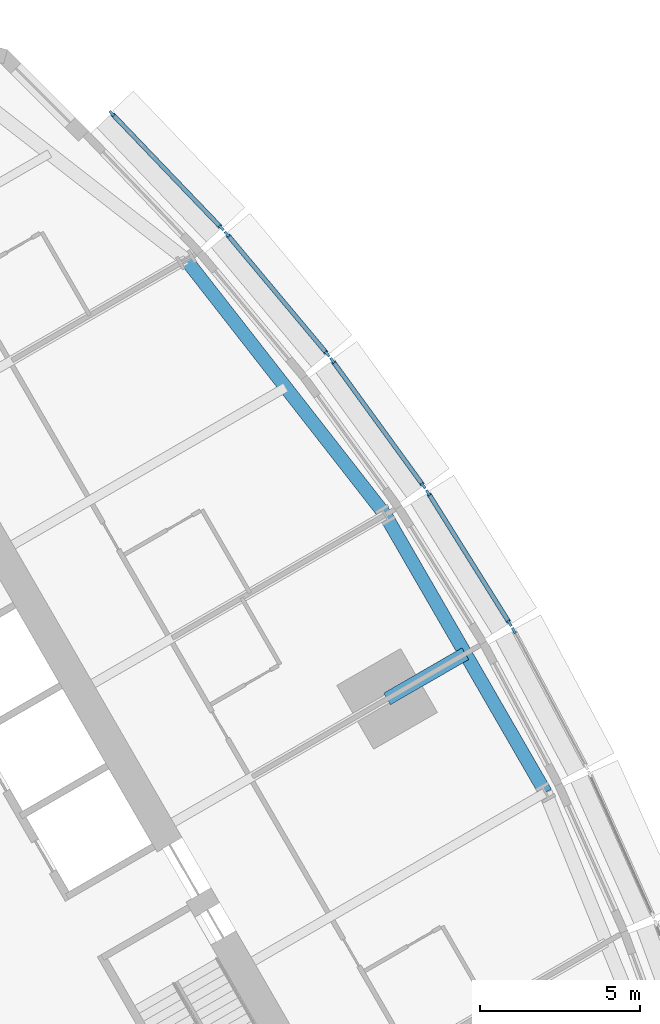
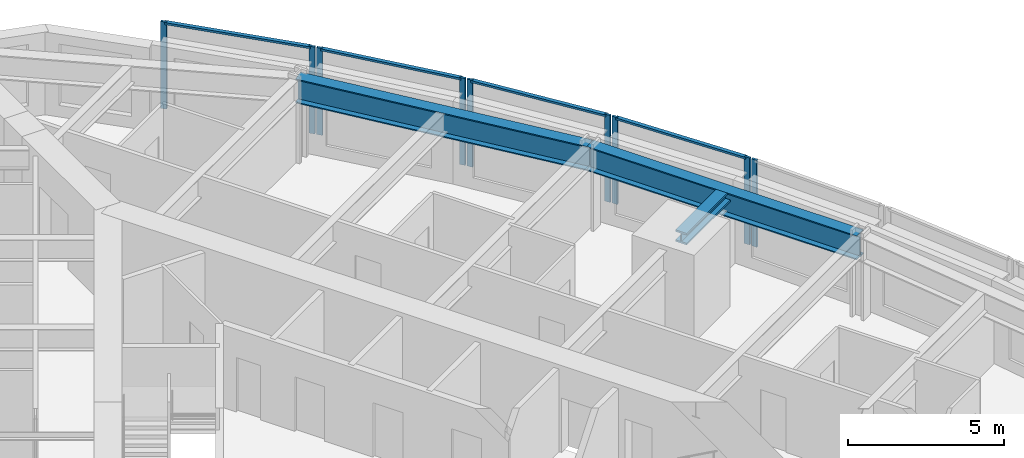
# One storey, part 5 of 14: 13 members, 3 beams, 5 elements without a shape of their own.
"""IFC4 building model written with IfcOpenShell, lengths in metres."""

import ifcopenshell
import ifcopenshell.guid

model = None  # the IFC model being written
_history = None  # IfcOwnerHistory: only IFC2X3 demands one
_inside = {}  # id of a spatial element -> (the spatial element, [elements in it])
_under = {}  # id of a project, library or spatial element -> (it, [spatial elements below it])
_declared = {}  # id of a project -> (the project, [libraries it declares])
_typed = {}  # id of a type object -> (the type object, [elements of that type])
_made_of = {}  # id of a material, layer set ... -> (it, [elements and type objects made of it])


def new_model(schema):
    """Start an empty IFC model of exactly this schema.

    Asked for "IFC4X3", IfcOpenShell would pick the latest addendum, in which some entities
    have other attributes; the version numbers below select the first issue.
    IFC2X3 requires an IfcOwnerHistory on every rooted entity: one is made here for all.
    """
    global model, _history
    if schema == "IFC4X3":
        model = ifcopenshell.file(schema_version=(4, 3, 0, 0))
    else:
        model = ifcopenshell.file(schema=schema)
    _inside.clear()
    _under.clear()
    _declared.clear()
    _typed.clear()
    _made_of.clear()
    _history = None
    if model.schema == "IFC2X3":
        org = make("IfcOrganization", Name="unknown")
        user = make(
            "IfcPersonAndOrganization",
            ThePerson=make("IfcPerson", FamilyName="unknown"),
            TheOrganization=org,
        )
        app = make(
            "IfcApplication",
            ApplicationDeveloper=org,
            Version="unknown",
            ApplicationFullName="unknown",
            ApplicationIdentifier="unknown",
        )
        _history = make(
            "IfcOwnerHistory",
            OwningUser=user,
            OwningApplication=app,
            ChangeAction="ADDED",
            CreationDate=0,
        )
    return model


def make(cls, **values):
    """One entity of the class cls with the attributes given. An attribute that is None is left unset."""
    return model.create_entity(
        cls, **{name: value for name, value in values.items() if value is not None}
    )


def rooted(cls, **values):
    """An entity with a GlobalId (a new one), such as an element, a storey or a relation."""
    return make(cls, GlobalId=ifcopenshell.guid.new(), OwnerHistory=_history, **values)


def si_unit(unit_type, name, prefix=None):
    """IfcSIUnit, for example si_unit("LENGTHUNIT", "METRE", prefix="MILLI")."""
    return make("IfcSIUnit", UnitType=unit_type, Prefix=prefix, Name=name)


def assignment(units):
    """IfcUnitAssignment: the units of a project."""
    return None if units is None else make("IfcUnitAssignment", Units=units)


def point(xyz):
    """IfcCartesianPoint."""
    return None if xyz is None else make("IfcCartesianPoint", Coordinates=xyz)


def direction(xyz):
    """IfcDirection."""
    return None if xyz is None else make("IfcDirection", DirectionRatios=xyz)


def frame(location, z_axis=None, x_axis=None):
    """IfcAxis2Placement3D, a coordinate frame: its origin and axes. An axis left out is left unset."""
    return make(
        "IfcAxis2Placement3D",
        Location=point(location),
        Axis=direction(z_axis),
        RefDirection=direction(x_axis),
    )


def frame_2d(location, x_axis=None):
    """IfcAxis2Placement2D, a coordinate frame in the plane: its origin and x axis."""
    return make(
        "IfcAxis2Placement2D", Location=point(location), RefDirection=direction(x_axis)
    )


def origin():
    """The frame at (0, 0, 0) with its axes left unset."""
    return frame((0.0, 0.0, 0.0))


def origin_2d():
    """The frame at (0, 0) in the plane with its x axis left unset."""
    return frame_2d((0.0, 0.0))


def place(relative_to, where):
    """IfcLocalPlacement: puts the frame where relative to a parent placement (None: the world)."""
    return make(
        "IfcLocalPlacement", PlacementRelTo=relative_to, RelativePlacement=where
    )


def context(
    kind, dimensions, precision=None, world=None, true_north=None, identifier=None
):
    """IfcGeometricRepresentationContext, for example the 3D "Model" context."""
    return make(
        "IfcGeometricRepresentationContext",
        ContextIdentifier=identifier,
        ContextType=kind,
        CoordinateSpaceDimension=dimensions,
        Precision=precision,
        WorldCoordinateSystem=world,
        TrueNorth=true_north,
    )


def subcontext(parent, identifier, kind, view, scale=None):
    """IfcGeometricRepresentationSubContext, for example "Body" below "Model"."""
    return make(
        "IfcGeometricRepresentationSubContext",
        ContextIdentifier=identifier,
        ContextType=kind,
        ParentContext=parent,
        TargetScale=scale,
        TargetView=view,
    )


def project(units=None, contexts=None):
    """IfcProject with its units and contexts."""
    return rooted(
        "IfcProject",
        Name="project",
        RepresentationContexts=contexts,
        UnitsInContext=assignment(units),
    )


def spatial(cls, under=None, at=None, **own):
    """A site, building, storey or space (cls), placed at a placement, below another one or the project."""
    s = rooted(cls, ObjectPlacement=at, **own)
    if under is not None:
        _under.setdefault(under.id(), (under, []))[1].append(s)
    return s


def profile(cls, at=None, kind="AREA", **sizes):
    """A parametric profile (cls). Its sizes go by their IFC names, for example OverallWidth=200.0."""
    return make(cls, ProfileType=kind, Position=at, **sizes)


def rectangle(**sizes):
    """IfcRectangleProfileDef."""
    return profile("IfcRectangleProfileDef", **sizes)


def i_section(**sizes):
    """IfcIShapeProfileDef."""
    return profile("IfcIShapeProfileDef", **sizes)


def extrude(swept, where, along, depth):
    """IfcExtrudedAreaSolid: the profile swept, set in the frame where, extruded along a direction by depth."""
    return make(
        "IfcExtrudedAreaSolid",
        SweptArea=swept,
        Position=where,
        ExtrudedDirection=direction(along),
        Depth=depth,
    )


def shape(context_of_items, identifier, shape_type, items):
    """IfcShapeRepresentation: the items that make up one representation, for example the "Body"."""
    return make(
        "IfcShapeRepresentation",
        ContextOfItems=context_of_items,
        RepresentationIdentifier=identifier,
        RepresentationType=shape_type,
        Items=items,
    )


def material(Name=None, Category=None):
    """IfcMaterial."""
    return make("IfcMaterial", Name=Name, Category=Category)


def material_profile(
    of_material, cross_section, Name=None, Category=None, Priority=None
):
    """IfcMaterialProfile: a cross section and its material."""
    return make(
        "IfcMaterialProfile",
        Name=Name,
        Material=of_material,
        Profile=cross_section,
        Priority=Priority,
        Category=Category,
    )


def profile_set(profiles, Name=None, composite=None):
    """IfcMaterialProfileSet."""
    return make(
        "IfcMaterialProfileSet",
        Name=Name,
        MaterialProfiles=profiles,
        CompositeProfile=composite,
    )


def made_of(thing, what):
    """Note that an element or type object is made of a material, layer set ...; save() writes the relation."""
    if what is not None:
        _made_of.setdefault(what.id(), (what, []))[1].append(thing)
    return thing


def type_object(cls, material=None, **own):
    """A type object (cls), such as IfcWallType, which elements share."""
    return made_of(rooted(cls, **own), material)


def element(
    cls,
    number,
    at=None,
    inside=None,
    cuts=None,
    type_object=None,
    material=None,
    context=None,
    identifier="Body",
    shape_type=None,
    held_by="IfcProductDefinitionShape",
    body=None,
    shapes=None,
    **own,
):
    """One element of the class cls, such as IfcWall. Its Tag is "e" and its number.

    at: its placement. inside: the storey or other place that contains it. cuts: it is an
    opening in that element (IfcRelVoidsElement). A single representation is given by context,
    identifier, shape_type and body (its items); several are given by shapes. held_by: the class
    of the entity that holds the representations. save() writes the other relations.
    """
    e = rooted(cls, Tag="e%d" % number, ObjectPlacement=at, **own)
    if body is not None:
        shapes = [shape(context, identifier, shape_type, body)]
    if shapes is not None:
        e.Representation = make(held_by, Representations=shapes)
    if inside is not None:
        _inside.setdefault(inside.id(), (inside, []))[1].append(e)
    if cuts is not None:
        rooted(
            "IfcRelVoidsElement", RelatingBuildingElement=cuts, RelatedOpeningElement=e
        )
    if type_object is not None:
        _typed.setdefault(type_object.id(), (type_object, []))[1].append(e)
    return made_of(e, material)


def aggregate(whole, parts):
    """IfcRelAggregates: a whole, such as a stair, and the parts it consists of."""
    return rooted("IfcRelAggregates", RelatingObject=whole, RelatedObjects=parts)


def save(model, path):
    """Write the relations noted so far, then the file.

    IfcRelAggregates (storeys below a building ...), IfcRelContainedInSpatialStructure (elements
    in a storey), IfcRelDefinesByType, IfcRelAssociatesMaterial and IfcRelDeclares: one each for
    every whole, place, type object, material and project.
    """
    for whole, parts in _under.values():
        aggregate(whole, parts)
    for where, things in _inside.values():
        rooted(
            "IfcRelContainedInSpatialStructure",
            RelatedElements=things,
            RelatingStructure=where,
        )
    for kind, things in _typed.values():
        rooted("IfcRelDefinesByType", RelatedObjects=things, RelatingType=kind)
    for what, things in _made_of.values():
        rooted("IfcRelAssociatesMaterial", RelatedObjects=things, RelatingMaterial=what)
    for by, libraries in _declared.values():
        rooted("IfcRelDeclares", RelatingContext=by, RelatedDefinitions=libraries)
    model.write(path)


model = new_model("IFC4")

# Units and contexts
model_context = context("Model", 3, precision=1e-05, world=origin(), true_north=direction((0.0, 1.0)))
body_context = subcontext(model_context, "Body", "Model", "MODEL_VIEW")
ifc_project = project(units=[si_unit("LENGTHUNIT", "METRE"), si_unit("AREAUNIT", "SQUARE_METRE"), si_unit("VOLUMEUNIT", "CUBIC_METRE"), si_unit("PLANEANGLEUNIT", "RADIAN"), si_unit("MASSUNIT", "GRAM", prefix="KILO")], contexts=[model_context])

# Site, building, storey
site_placement = place(None, origin())
site = spatial("IfcSite", under=ifc_project, at=site_placement, CompositionType="ELEMENT")
building_placement = place(site_placement, origin())
building = spatial("IfcBuilding", under=site, at=building_placement, Name="Trikona Tower", CompositionType="ELEMENT")
storey_placement = place(building_placement, frame((0.0, 0.0, 128.300048828125)))
storey = spatial("IfcBuildingStorey", under=building, at=storey_placement, Name="L33", CompositionType="ELEMENT", Elevation=128.300048828125)

# Curtain wall, member
ifc_material_1 = material(Name="Aluminium curtain wall system", Category="aluminium")
curtain_wall_type = type_object("IfcCurtainWallType", Name="Curtain wall DS2", PredefinedType="NOTDEFINED", material=ifc_material_1)
curtain_wall_1_placement = place(storey_placement, origin())
curtain_wall_1 = element("IfcCurtainWall", 1, at=curtain_wall_1_placement, inside=storey, type_object=curtain_wall_type, Name="Curtain wall DS2 L33", PredefinedType="NOTDEFINED")
ifc_material_2 = material(Name="Aluminium mullion, pale anodised", Category="aluminium")
ifc_material_profile_1 = material_profile(ifc_material_2, rectangle(XDim=0.080078125, YDim=0.199951171875, at=origin_2d()), Name="MUL-DS2")
ifc_profile_set_1 = profile_set([ifc_material_profile_1], Name="Aluminium mullion, pale anodised")
member_type_1 = type_object("IfcMemberType", Name="Mullion DS2 80x200", PredefinedType="MULLION", material=ifc_profile_set_1)
member_1_placement = place(storey_placement, frame((19.2666015625, 10.9716796875, 0.0), z_axis=(0.0, 0.0, 1.0), x_axis=(-0.882996107343, -0.469380308937, 0.0)))
member_1 = element("IfcMember", 2, at=member_1_placement, type_object=member_type_1, Name="CW-DS2 mullion 2", PredefinedType="MULLION", context=body_context, shape_type="SweptSolid", body=[
    extrude(rectangle(XDim=0.080078125, YDim=0.199951171875, at=origin_2d()), origin(), (0.0, 0.0, 1.0), 3.39990234375),
])
aggregate(curtain_wall_1, [member_1])

# Curtain wall, members
curtain_wall_2_placement = place(storey_placement, origin())
curtain_wall_2 = element("IfcCurtainWall", 3, at=curtain_wall_2_placement, inside=storey, type_object=curtain_wall_type, Name="Curtain wall DS2 L33", PredefinedType="NOTDEFINED")
member_2_placement = place(storey_placement, frame((19.135009765625, 11.199462890625, 0.0), z_axis=(0.0, 0.0, 1.0), x_axis=(-0.847998304006, -0.529998940002, 0.0)))
member_2 = element("IfcMember", 4, at=member_2_placement, type_object=member_type_1, Name="CW-DS2 mullion 1", PredefinedType="MULLION", context=body_context, shape_type="SweptSolid", body=[
    extrude(rectangle(XDim=0.080078125, YDim=0.199951171875, at=origin_2d()), origin(), (0.0, 0.0, 1.0), 3.39990234375),
])
member_3_placement = place(storey_placement, frame((16.589599609375, 15.2724609375, 0.0), z_axis=(0.0, 0.0, 1.0), x_axis=(-0.847998304006, -0.529998940002, 0.0)))
member_3 = element("IfcMember", 5, at=member_3_placement, type_object=member_type_1, Name="CW-DS2 mullion 2", PredefinedType="MULLION", context=body_context, shape_type="SweptSolid", body=[
    extrude(rectangle(XDim=0.080078125, YDim=0.199951171875, at=origin_2d()), origin(), (0.0, 0.0, 1.0), 3.39990234375),
])

curtain_wall_3_placement = place(storey_placement, origin())
curtain_wall_3 = element("IfcCurtainWall", 6, at=curtain_wall_3_placement, inside=storey, type_object=curtain_wall_type, Name="Curtain wall DS2 L33", PredefinedType="NOTDEFINED")
member_4_placement = place(storey_placement, frame((16.442626953125, 15.489990234375, 0.0), z_axis=(0.0, 0.0, 1.0), x_axis=(-0.80908576332, -0.587690588313, 0.0)))
member_4 = element("IfcMember", 7, at=member_4_placement, type_object=member_type_1, Name="CW-DS2 mullion 1", PredefinedType="MULLION", context=body_context, shape_type="SweptSolid", body=[
    extrude(rectangle(XDim=0.080078125, YDim=0.199951171875, at=origin_2d()), origin(), (0.0, 0.0, 1.0), 3.39990234375),
])
member_5_placement = place(storey_placement, frame((13.605712890625, 19.39599609375, 0.0), z_axis=(0.0, 0.0, 1.0), x_axis=(-0.80908576332, -0.587690588313, 0.0)))
member_5 = element("IfcMember", 8, at=member_5_placement, type_object=member_type_1, Name="CW-DS2 mullion 2", PredefinedType="MULLION", context=body_context, shape_type="SweptSolid", body=[
    extrude(rectangle(XDim=0.080078125, YDim=0.199951171875, at=origin_2d()), origin(), (0.0, 0.0, 1.0), 3.39990234375),
])

curtain_wall_4_placement = place(storey_placement, origin())
curtain_wall_4 = element("IfcCurtainWall", 9, at=curtain_wall_4_placement, inside=storey, type_object=curtain_wall_type, Name="Curtain wall DS2 L33", PredefinedType="NOTDEFINED")
member_6_placement = place(storey_placement, frame((13.44482421875, 19.602294921875, 0.0), z_axis=(0.0, 0.0, 1.0), x_axis=(-0.766866678271, -0.641806433248, 0.0)))
member_6 = element("IfcMember", 10, at=member_6_placement, type_object=member_type_1, Name="CW-DS2 mullion 1", PredefinedType="MULLION", context=body_context, shape_type="SweptSolid", body=[
    extrude(rectangle(XDim=0.080078125, YDim=0.199951171875, at=origin_2d()), origin(), (0.0, 0.0, 1.0), 3.39990234375),
])
member_7_placement = place(storey_placement, frame((10.315185546875, 23.34130859375, 0.0), z_axis=(0.0, 0.0, 1.0), x_axis=(-0.766866678271, -0.641806433248, 0.0)))
member_7 = element("IfcMember", 11, at=member_7_placement, type_object=member_type_1, Name="CW-DS2 mullion 2", PredefinedType="MULLION", context=body_context, shape_type="SweptSolid", body=[
    extrude(rectangle(XDim=0.080078125, YDim=0.199951171875, at=origin_2d()), origin(), (0.0, 0.0, 1.0), 3.39990234375),
])

curtain_wall_5_placement = place(storey_placement, origin())
curtain_wall_5 = element("IfcCurtainWall", 12, at=curtain_wall_5_placement, inside=storey, type_object=curtain_wall_type, Name="Curtain wall DS2 L33", PredefinedType="NOTDEFINED")
member_8_placement = place(storey_placement, frame((10.1416015625, 23.535400390625, 0.0), z_axis=(0.0, 0.0, 1.0), x_axis=(-0.722158330767, -0.691727797117, 0.0)))
member_8 = element("IfcMember", 13, at=member_8_placement, type_object=member_type_1, Name="CW-DS2 mullion 1", PredefinedType="MULLION", context=body_context, shape_type="SweptSolid", body=[
    extrude(rectangle(XDim=0.080078125, YDim=0.199951171875, at=origin_2d()), origin(), (0.0, 0.0, 1.0), 3.39990234375),
])
member_9_placement = place(storey_placement, frame((6.718994140625, 27.1083984375, 0.0), z_axis=(0.0, 0.0, 1.0), x_axis=(-0.722158330767, -0.691727797117, 0.0)))
member_9 = element("IfcMember", 14, at=member_9_placement, type_object=member_type_1, Name="CW-DS2 mullion 2", PredefinedType="MULLION", context=body_context, shape_type="SweptSolid", body=[
    extrude(rectangle(XDim=0.080078125, YDim=0.199951171875, at=origin_2d()), origin(), (0.0, 0.0, 1.0), 3.39990234375),
])

# Beams
ifc_material_3 = material(Name="Steel ASTM A992 Grade 50", Category="steel")
ifc_material_profile_2 = material_profile(ifc_material_3, i_section(OverallWidth=0.419189453125, OverallDepth=0.45458984375, WebThickness=0.042236328125, FlangeThickness=0.067626953125, at=origin_2d()), Name="W14X370")
ifc_profile_set_2 = profile_set([ifc_material_profile_2], Name="Steel ASTM A992 Grade 50")
beam_type_1 = type_object("IfcBeamType", Name="Steel beam W14x370 (apex bracket)", PredefinedType="BEAM", material=ifc_profile_set_2)
beam_1_placement = place(storey_placement, frame((15.311767578125, 8.84033203125, 3.007568359375), z_axis=(0.86605005072, 0.499957307824, 0.0), x_axis=(-0.499957307824, 0.86605005072, 0.0)))
element("IfcBeam", 15, at=beam_1_placement, inside=storey, type_object=beam_type_1, Name="Cantilever bracket L34 F2", PredefinedType="BEAM", context=body_context, shape_type="SweptSolid", body=[
    extrude(i_section(OverallWidth=0.419189453125, OverallDepth=0.45458984375, WebThickness=0.042236328125, FlangeThickness=0.067626953125, at=origin_2d()), origin(), (0.0, 0.0, 1.0), 2.819580078125),
])
ifc_material_4 = material(Name="Steel ASTM A992 Grade 50", Category="steel")
ifc_material_profile_3 = material_profile(ifc_material_4, i_section(OverallWidth=0.424072265625, OverallDepth=0.947509765625, WebThickness=0.02392578125, FlangeThickness=0.042724609375, at=origin_2d()), Name="W36X302")
ifc_profile_set_3 = profile_set([ifc_material_profile_3], Name="Steel ASTM A992 Grade 50")
beam_type_2 = type_object("IfcBeamType", Name="Steel beam W36x302 (spandrel)", PredefinedType="SPANDREL", material=ifc_profile_set_3)
beam_2_placement = place(storey_placement, frame((20.253662109375, 5.919921875, 2.76123046875), z_axis=(-0.500004234368, 0.866022959057, 0.0), x_axis=(-0.866022959057, -0.500004234368, 0.0)))
element("IfcBeam", 16, at=beam_2_placement, inside=storey, type_object=beam_type_2, Name="Spandrel beam L34 F2-3", PredefinedType="SPANDREL", context=body_context, shape_type="SweptSolid", body=[
    extrude(i_section(OverallWidth=0.424072265625, OverallDepth=0.947509765625, WebThickness=0.02392578125, FlangeThickness=0.042724609375, at=origin_2d()), origin(), (0.0, 0.0, 1.0), 10.0),
])
beam_3_placement = place(storey_placement, frame((15.253662109375, 14.580078125, 2.76123046875), z_axis=(-0.615232009054, 0.788346101046, 0.0), x_axis=(-0.788346101046, -0.615232009054, 0.0)))
element("IfcBeam", 17, at=beam_3_placement, inside=storey, type_object=beam_type_2, Name="Spandrel beam L34 F2-4", PredefinedType="SPANDREL", context=body_context, shape_type="SweptSolid", body=[
    extrude(i_section(OverallWidth=0.424072265625, OverallDepth=0.947509765625, WebThickness=0.02392578125, FlangeThickness=0.042724609375, at=origin_2d()), origin(), (0.0, 0.0, 1.0), 10.09765625),
])

# Member
ifc_material_5 = material(Name="Aluminium transom, pale anodised", Category="aluminium")
ifc_material_profile_4 = material_profile(ifc_material_5, rectangle(XDim=0.139892578125, YDim=0.080078125, at=origin_2d()), Name="TRN-DS2")
ifc_profile_set_4 = profile_set([ifc_material_profile_4], Name="Aluminium transom, pale anodised")
member_type_2 = type_object("IfcMemberType", Name="Transom DS2 80x140", PredefinedType="USERDEFINED", material=ifc_profile_set_4)
member_10_placement = place(storey_placement, frame((19.114013671875, 11.2333984375, 3.35986328125), z_axis=(-0.530031463794, 0.847977975769, 0.0), x_axis=(-0.847977975769, -0.530031463794, 0.0)))
member_10 = element("IfcMember", 18, at=member_10_placement, type_object=member_type_2, Name="CW-DS2 transom 1.1", ObjectType="TRANSOM", PredefinedType="USERDEFINED", context=body_context, shape_type="SweptSolid", body=[
    extrude(rectangle(XDim=0.139892578125, YDim=0.080078125, at=origin_2d()), origin(), (0.0, 0.0, 1.0), 4.72314453125),
])

aggregate(curtain_wall_2, [member_2, member_3, member_10])

member_11_placement = place(storey_placement, frame((16.419189453125, 15.5224609375, 3.35986328125), z_axis=(-0.587694585883, 0.809082859616, 0.0), x_axis=(-0.809082859616, -0.587694585883, 0.0)))
member_11 = element("IfcMember", 19, at=member_11_placement, type_object=member_type_2, Name="CW-DS2 transom 1.1", ObjectType="TRANSOM", PredefinedType="USERDEFINED", context=body_context, shape_type="SweptSolid", body=[
    extrude(rectangle(XDim=0.139892578125, YDim=0.080078125, at=origin_2d()), origin(), (0.0, 0.0, 1.0), 4.747314453125),
])

aggregate(curtain_wall_3, [member_4, member_5, member_11])

member_12_placement = place(storey_placement, frame((13.4189453125, 19.6328125, 3.35986328125), z_axis=(-0.641770294892, 0.766896921753, 0.0), x_axis=(-0.766896921753, -0.641770294892, 0.0)))
member_12 = element("IfcMember", 20, at=member_12_placement, type_object=member_type_2, Name="CW-DS2 transom 1.1", ObjectType="TRANSOM", PredefinedType="USERDEFINED", context=body_context, shape_type="SweptSolid", body=[
    extrude(rectangle(XDim=0.139892578125, YDim=0.080078125, at=origin_2d()), origin(), (0.0, 0.0, 1.0), 4.7958984375),
])

aggregate(curtain_wall_4, [member_6, member_7, member_12])

member_13_placement = place(storey_placement, frame((10.114013671875, 23.564208984375, 3.35986328125), z_axis=(-0.691721246785, 0.722164605022, 0.0), x_axis=(-0.722164605022, -0.691721246785, 0.0)))
member_13 = element("IfcMember", 21, at=member_13_placement, type_object=member_type_2, Name="CW-DS2 transom 1.1", ObjectType="TRANSOM", PredefinedType="USERDEFINED", context=body_context, shape_type="SweptSolid", body=[
    extrude(rectangle(XDim=0.139892578125, YDim=0.080078125, at=origin_2d()), origin(), (0.0, 0.0, 1.0), 4.867919921875),
])

aggregate(curtain_wall_5, [member_8, member_9, member_13])

save(model, "model.ifc")
